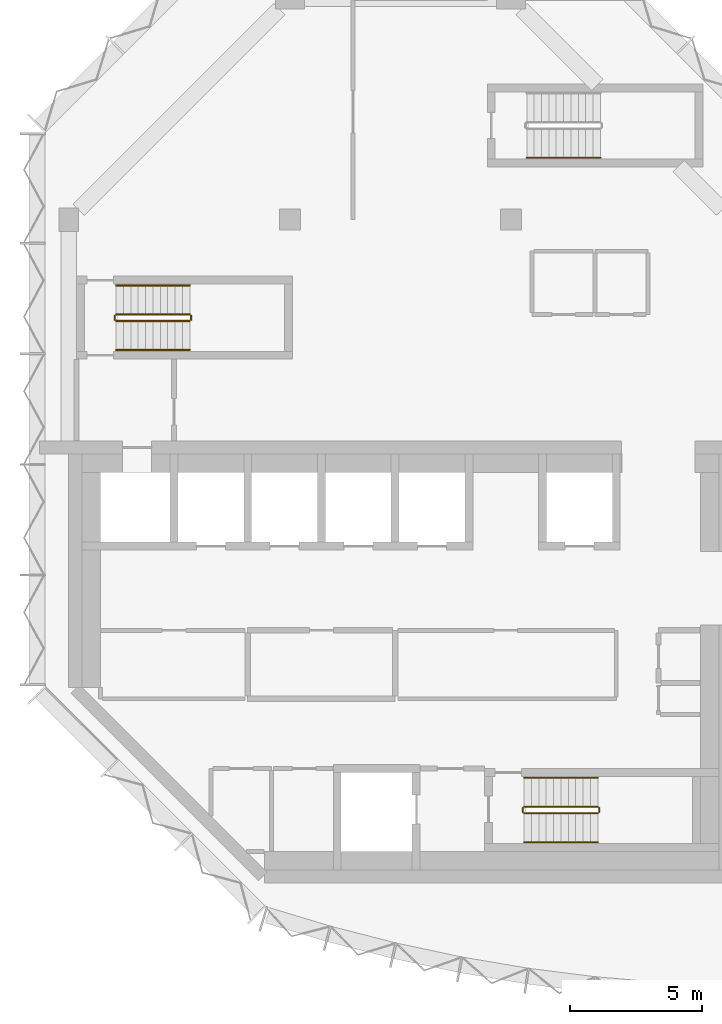
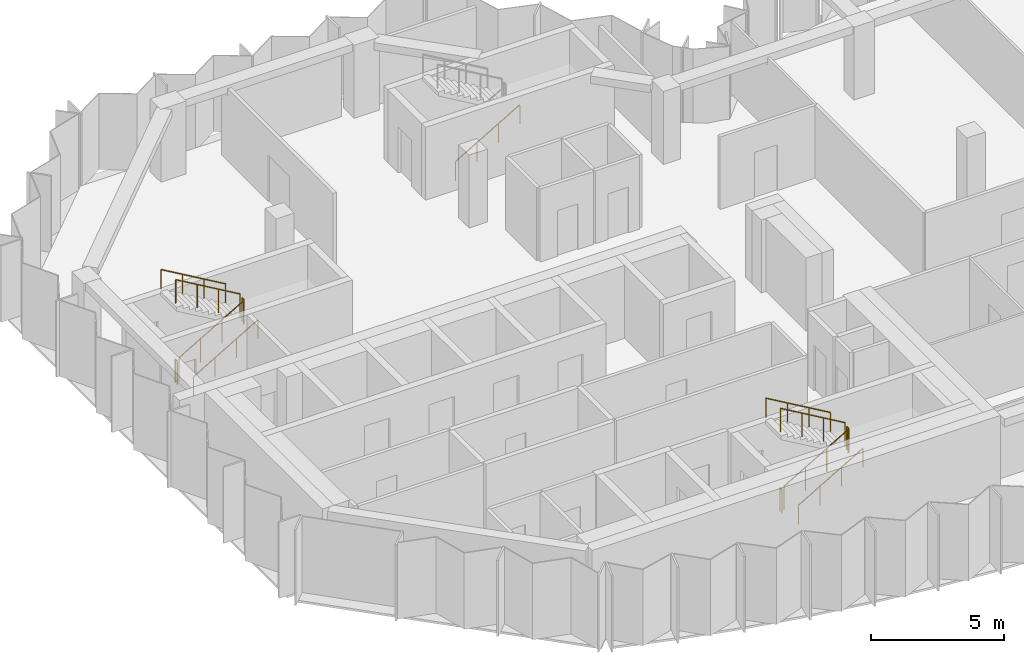
# One storey, part 8 of 9: 13 railings.
"""IFC4 building model written with IfcOpenShell, lengths in metres."""

from ifc_helpers import new_model, si_unit, direction, frame, origin, origin_2d, place, context, subcontext, project, spatial, circle, extrude, material, type_object, element, save


model = new_model("IFC4")

# Units and contexts
model_context = context("Model", 3, precision=1e-05, world=origin(), true_north=direction((0.0, 1.0)))
body_context = subcontext(model_context, "Body", "Model", "MODEL_VIEW")
ifc_project = project(units=[si_unit("LENGTHUNIT", "METRE"), si_unit("AREAUNIT", "SQUARE_METRE"), si_unit("VOLUMEUNIT", "CUBIC_METRE"), si_unit("PLANEANGLEUNIT", "RADIAN"), si_unit("MASSUNIT", "GRAM", prefix="KILO")], contexts=[model_context])

# Site, building, storey
site_placement = place(None, origin())
site = spatial("IfcSite", under=ifc_project, at=site_placement, CompositionType="ELEMENT")
building_placement = place(site_placement, origin())
building = spatial("IfcBuilding", under=site, at=building_placement, Name="Brevane Broadcast Tower", CompositionType="ELEMENT")
storey_placement = place(building_placement, frame((0.0, 0.0, 226.5)))
storey = spatial("IfcBuildingStorey", under=building, at=storey_placement, Name="L57", CompositionType="ELEMENT", Elevation=226.5)

# Railings
ifc_material = material(Name="Steel S355", Category="steel")
railing_type_1 = type_object("IfcRailingType", Name="Exit stair guard", PredefinedType="GUARDRAIL", material=ifc_material)
railing_1_placement = place(storey_placement, frame((1.800048828125, 21.35009765625, 0.16357421875)))
element("IfcRailing", 1, at=railing_1_placement, inside=storey, type_object=railing_type_1, Name="L57 ST-1 stair guard 1", PredefinedType="GUARDRAIL", context=body_context, shape_type="SweptSolid", body=[
    extrude(circle(Radius=0.02392578125, at=origin_2d()), frame((0.0, 0.0, 1.076171875), z_axis=(0.863360870873, 0.0, 0.504586966384), x_axis=(0.0, 1.0, 0.0)), (0.0, 0.0, 1.0), 3.2431640625),
    extrude(circle(Radius=0.02099609375, at=origin_2d()), origin(), (0.0, 0.0, 1.0), 1.052001953125),
    extrude(circle(Radius=0.02099609375, at=origin_2d()), frame((0.933349609375, 0.0, 0.54541015625)), (0.0, 0.0, 1.0), 1.052001953125),
    extrude(circle(Radius=0.02099609375, at=origin_2d()), frame((1.86669921875, 0.0, 1.091064453125)), (0.0, 0.0, 1.0), 1.052001953125),
    extrude(circle(Radius=0.02099609375, at=origin_2d()), frame((2.800048828125, 0.0, 1.636474609375)), (0.0, 0.0, 1.0), 1.052001953125),
])
railing_2_placement = place(storey_placement, frame((4.64990234375, 21.39990234375, 1.800048828125)))
element("IfcRailing", 2, at=railing_2_placement, inside=storey, type_object=railing_type_1, Name="L57 ST-1 stair guard 2", PredefinedType="GUARDRAIL", context=body_context, shape_type="SweptSolid", body=[
    extrude(circle(Radius=0.02392578125, at=origin_2d()), frame((0.0, 0.0, 1.076171875), z_axis=(0.0, 1.0, 0.0), x_axis=(-1.0, 0.0, 0.0)), (0.0, 0.0, 1.0), 0.150146484375),
    extrude(circle(Radius=0.02099609375, at=origin_2d()), origin(), (0.0, 0.0, 1.0), 1.052001953125),
    extrude(circle(Radius=0.02099609375, at=origin_2d()), frame((0.0, 0.150146484375, 0.0)), (0.0, 0.0, 1.0), 1.052001953125),
])
railing_3_placement = place(storey_placement, frame((4.60009765625, 21.60009765625, 1.963623046875)))
element("IfcRailing", 3, at=railing_3_placement, inside=storey, type_object=railing_type_1, Name="L57 ST-1 stair guard 3", PredefinedType="GUARDRAIL", context=body_context, shape_type="SweptSolid", body=[
    extrude(circle(Radius=0.02392578125, at=origin_2d()), frame((0.0, 0.0, 1.076171875), z_axis=(-0.863360870873, 0.0, 0.504586966384), x_axis=(0.0, -1.0, 0.0)), (0.0, 0.0, 1.0), 3.2431640625),
    extrude(circle(Radius=0.02099609375, at=origin_2d()), origin(), (0.0, 0.0, 1.0), 1.052001953125),
    extrude(circle(Radius=0.02099609375, at=origin_2d()), frame((-0.933349609375, 0.0, 0.54541015625)), (0.0, 0.0, 1.0), 1.052001953125),
    extrude(circle(Radius=0.02099609375, at=origin_2d()), frame((-1.86669921875, 0.0, 1.091064453125)), (0.0, 0.0, 1.0), 1.052001953125),
    extrude(circle(Radius=0.02099609375, at=origin_2d()), frame((-2.800048828125, 0.0, 1.636474609375)), (0.0, 0.0, 1.0), 1.052001953125),
])
railing_4_placement = place(storey_placement, frame((1.75, 21.39990234375, 0.0)))
element("IfcRailing", 4, at=railing_4_placement, inside=storey, type_object=railing_type_1, Name="L57 ST-1 stair guard 4", PredefinedType="GUARDRAIL", context=body_context, shape_type="SweptSolid", body=[
    extrude(circle(Radius=0.02392578125, at=origin_2d()), frame((0.0, 0.0, 1.076171875), z_axis=(0.0, 1.0, 0.0), x_axis=(-1.0, 0.0, 0.0)), (0.0, 0.0, 1.0), 0.150146484375),
    extrude(circle(Radius=0.02099609375, at=origin_2d()), origin(), (0.0, 0.0, 1.0), 1.052001953125),
    extrude(circle(Radius=0.02099609375, at=origin_2d()), frame((0.0, 0.150146484375, 0.0)), (0.0, 0.0, 1.0), 1.052001953125),
])
railing_5_placement = place(storey_placement, frame((17.300048828125, 2.64990234375, 0.16357421875)))
element("IfcRailing", 5, at=railing_5_placement, inside=storey, type_object=railing_type_1, Name="L57 ST-2 stair guard 1", PredefinedType="GUARDRAIL", context=body_context, shape_type="SweptSolid", body=[
    extrude(circle(Radius=0.02392578125, at=origin_2d()), frame((0.0, 0.0, 1.076171875), z_axis=(0.863360870873, 0.0, 0.504586966384), x_axis=(0.0, 1.0, 0.0)), (0.0, 0.0, 1.0), 3.2431640625),
    extrude(circle(Radius=0.02099609375, at=origin_2d()), origin(), (0.0, 0.0, 1.0), 1.052001953125),
    extrude(circle(Radius=0.02099609375, at=origin_2d()), frame((0.933349609375, 0.0, 0.54541015625)), (0.0, 0.0, 1.0), 1.052001953125),
    extrude(circle(Radius=0.02099609375, at=origin_2d()), frame((1.86669921875, 0.0, 1.091064453125)), (0.0, 0.0, 1.0), 1.052001953125),
    extrude(circle(Radius=0.02099609375, at=origin_2d()), frame((2.800048828125, 0.0, 1.636474609375)), (0.0, 0.0, 1.0), 1.052001953125),
])
railing_6_placement = place(storey_placement, frame((20.14990234375, 2.699951171875, 1.800048828125)))
element("IfcRailing", 6, at=railing_6_placement, inside=storey, type_object=railing_type_1, Name="L57 ST-2 stair guard 2", PredefinedType="GUARDRAIL", context=body_context, shape_type="SweptSolid", body=[
    extrude(circle(Radius=0.02392578125, at=origin_2d()), frame((0.0, 0.0, 1.076171875), z_axis=(0.0, 1.0, 0.0), x_axis=(-1.0, 0.0, 0.0)), (0.0, 0.0, 1.0), 0.150146484375),
    extrude(circle(Radius=0.02099609375, at=origin_2d()), origin(), (0.0, 0.0, 1.0), 1.052001953125),
    extrude(circle(Radius=0.02099609375, at=origin_2d()), frame((0.0, 0.150146484375, 0.0)), (0.0, 0.0, 1.0), 1.052001953125),
])
railing_7_placement = place(storey_placement, frame((20.10009765625, 2.89990234375, 1.963623046875)))
element("IfcRailing", 7, at=railing_7_placement, inside=storey, type_object=railing_type_1, Name="L57 ST-2 stair guard 3", PredefinedType="GUARDRAIL", context=body_context, shape_type="SweptSolid", body=[
    extrude(circle(Radius=0.02392578125, at=origin_2d()), frame((0.0, 0.0, 1.076171875), z_axis=(-0.863360870873, 0.0, 0.504586966384), x_axis=(0.0, -1.0, 0.0)), (0.0, 0.0, 1.0), 3.2431640625),
    extrude(circle(Radius=0.02099609375, at=origin_2d()), origin(), (0.0, 0.0, 1.0), 1.052001953125),
    extrude(circle(Radius=0.02099609375, at=origin_2d()), frame((-0.933349609375, 0.0, 0.54541015625)), (0.0, 0.0, 1.0), 1.052001953125),
    extrude(circle(Radius=0.02099609375, at=origin_2d()), frame((-1.86669921875, 0.0, 1.091064453125)), (0.0, 0.0, 1.0), 1.052001953125),
    extrude(circle(Radius=0.02099609375, at=origin_2d()), frame((-2.800048828125, 0.0, 1.636474609375)), (0.0, 0.0, 1.0), 1.052001953125),
])
railing_8_placement = place(storey_placement, frame((17.25, 2.699951171875, 0.0)))
element("IfcRailing", 8, at=railing_8_placement, inside=storey, type_object=railing_type_1, Name="L57 ST-2 stair guard 4", PredefinedType="GUARDRAIL", context=body_context, shape_type="SweptSolid", body=[
    extrude(circle(Radius=0.02392578125, at=origin_2d()), frame((0.0, 0.0, 1.076171875), z_axis=(0.0, 1.0, 0.0), x_axis=(-1.0, 0.0, 0.0)), (0.0, 0.0, 1.0), 0.150146484375),
    extrude(circle(Radius=0.02099609375, at=origin_2d()), origin(), (0.0, 0.0, 1.0), 1.052001953125),
    extrude(circle(Radius=0.02099609375, at=origin_2d()), frame((0.0, 0.150146484375, 0.0)), (0.0, 0.0, 1.0), 1.052001953125),
])
railing_type_2 = type_object("IfcRailingType", Name="Exit stair handrail", PredefinedType="HANDRAIL", material=ifc_material)
railing_9_placement = place(storey_placement, frame((1.800048828125, 20.25, 0.16357421875)))
element("IfcRailing", 9, at=railing_9_placement, inside=storey, type_object=railing_type_2, Name="L57 ST-1 stair handrail 1", PredefinedType="HANDRAIL", context=body_context, shape_type="SweptSolid", body=[
    extrude(circle(Radius=0.02392578125, at=origin_2d()), frame((0.0, 0.0, 0.8759765625), z_axis=(0.863360870873, 0.0, 0.504586966384), x_axis=(0.0, 1.0, 0.0)), (0.0, 0.0, 1.0), 3.2431640625),
    extrude(circle(Radius=0.02099609375, at=origin_2d()), origin(), (0.0, 0.0, 1.0), 0.851806640625),
    extrude(circle(Radius=0.02099609375, at=origin_2d()), frame((0.933349609375, 0.0, 0.54541015625)), (0.0, 0.0, 1.0), 0.851806640625),
    extrude(circle(Radius=0.02099609375, at=origin_2d()), frame((1.86669921875, 0.0, 1.091064453125)), (0.0, 0.0, 1.0), 0.851806640625),
    extrude(circle(Radius=0.02099609375, at=origin_2d()), frame((2.800048828125, 0.0, 1.636474609375)), (0.0, 0.0, 1.0), 0.851806640625),
])
railing_10_placement = place(storey_placement, frame((4.60009765625, 22.699951171875, 1.963623046875)))
element("IfcRailing", 10, at=railing_10_placement, inside=storey, type_object=railing_type_2, Name="L57 ST-1 stair handrail 2", PredefinedType="HANDRAIL", context=body_context, shape_type="SweptSolid", body=[
    extrude(circle(Radius=0.02392578125, at=origin_2d()), frame((0.0, 0.0, 0.8759765625), z_axis=(-0.863360870873, 0.0, 0.504586966384), x_axis=(0.0, -1.0, 0.0)), (0.0, 0.0, 1.0), 3.2431640625),
    extrude(circle(Radius=0.02099609375, at=origin_2d()), origin(), (0.0, 0.0, 1.0), 0.851806640625),
    extrude(circle(Radius=0.02099609375, at=origin_2d()), frame((-0.933349609375, 0.0, 0.54541015625)), (0.0, 0.0, 1.0), 0.851806640625),
    extrude(circle(Radius=0.02099609375, at=origin_2d()), frame((-1.86669921875, 0.0, 1.091064453125)), (0.0, 0.0, 1.0), 0.851806640625),
    extrude(circle(Radius=0.02099609375, at=origin_2d()), frame((-2.800048828125, 0.0, 1.636474609375)), (0.0, 0.0, 1.0), 0.851806640625),
])
railing_11_placement = place(storey_placement, frame((17.300048828125, 1.550048828125, 0.16357421875)))
element("IfcRailing", 11, at=railing_11_placement, inside=storey, type_object=railing_type_2, Name="L57 ST-2 stair handrail 1", PredefinedType="HANDRAIL", context=body_context, shape_type="SweptSolid", body=[
    extrude(circle(Radius=0.02392578125, at=origin_2d()), frame((0.0, 0.0, 0.8759765625), z_axis=(0.863360870873, 0.0, 0.504586966384), x_axis=(0.0, 1.0, 0.0)), (0.0, 0.0, 1.0), 3.2431640625),
    extrude(circle(Radius=0.02099609375, at=origin_2d()), origin(), (0.0, 0.0, 1.0), 0.851806640625),
    extrude(circle(Radius=0.02099609375, at=origin_2d()), frame((0.933349609375, 0.0, 0.54541015625)), (0.0, 0.0, 1.0), 0.851806640625),
    extrude(circle(Radius=0.02099609375, at=origin_2d()), frame((1.86669921875, 0.0, 1.091064453125)), (0.0, 0.0, 1.0), 0.851806640625),
    extrude(circle(Radius=0.02099609375, at=origin_2d()), frame((2.800048828125, 0.0, 1.636474609375)), (0.0, 0.0, 1.0), 0.851806640625),
])
railing_12_placement = place(storey_placement, frame((20.10009765625, 4.0, 1.963623046875)))
element("IfcRailing", 12, at=railing_12_placement, inside=storey, type_object=railing_type_2, Name="L57 ST-2 stair handrail 2", PredefinedType="HANDRAIL", context=body_context, shape_type="SweptSolid", body=[
    extrude(circle(Radius=0.02392578125, at=origin_2d()), frame((0.0, 0.0, 0.8759765625), z_axis=(-0.863360870873, 0.0, 0.504586966384), x_axis=(0.0, -1.0, 0.0)), (0.0, 0.0, 1.0), 3.2431640625),
    extrude(circle(Radius=0.02099609375, at=origin_2d()), origin(), (0.0, 0.0, 1.0), 0.851806640625),
    extrude(circle(Radius=0.02099609375, at=origin_2d()), frame((-0.933349609375, 0.0, 0.54541015625)), (0.0, 0.0, 1.0), 0.851806640625),
    extrude(circle(Radius=0.02099609375, at=origin_2d()), frame((-1.86669921875, 0.0, 1.091064453125)), (0.0, 0.0, 1.0), 0.851806640625),
    extrude(circle(Radius=0.02099609375, at=origin_2d()), frame((-2.800048828125, 0.0, 1.636474609375)), (0.0, 0.0, 1.0), 0.851806640625),
])
railing_13_placement = place(storey_placement, frame((17.39990234375, 27.550048828125, 0.16357421875)))
element("IfcRailing", 13, at=railing_13_placement, inside=storey, type_object=railing_type_2, Name="L57 ST-3 stair handrail 1", PredefinedType="HANDRAIL", context=body_context, shape_type="SweptSolid", body=[
    extrude(circle(Radius=0.02392578125, at=origin_2d()), frame((0.0, 0.0, 0.8759765625), z_axis=(0.863360870873, 0.0, 0.504586966384), x_axis=(0.0, 1.0, 0.0)), (0.0, 0.0, 1.0), 3.2431640625),
    extrude(circle(Radius=0.02099609375, at=origin_2d()), origin(), (0.0, 0.0, 1.0), 0.851806640625),
    extrude(circle(Radius=0.02099609375, at=origin_2d()), frame((0.933349609375, 0.0, 0.54541015625)), (0.0, 0.0, 1.0), 0.851806640625),
    extrude(circle(Radius=0.02099609375, at=origin_2d()), frame((1.86669921875, 0.0, 1.091064453125)), (0.0, 0.0, 1.0), 0.851806640625),
    extrude(circle(Radius=0.02099609375, at=origin_2d()), frame((2.800048828125, 0.0, 1.636474609375)), (0.0, 0.0, 1.0), 0.851806640625),
])

save(model, "model.ifc")
